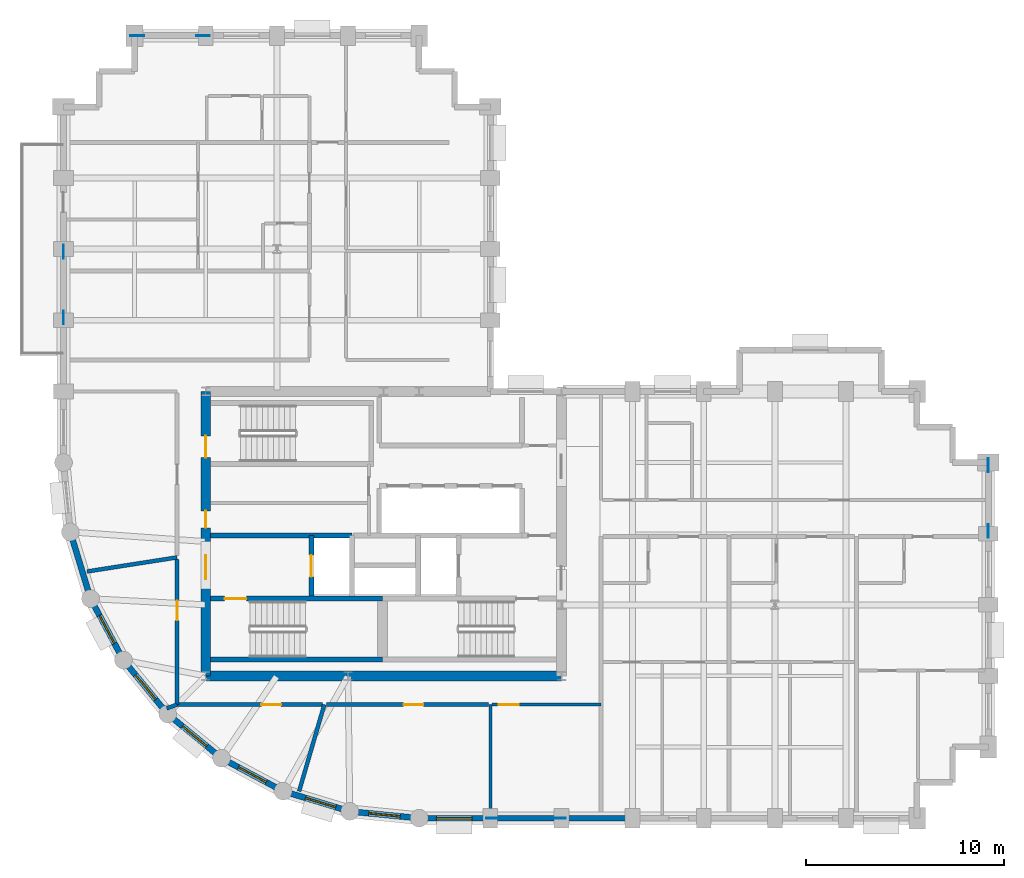
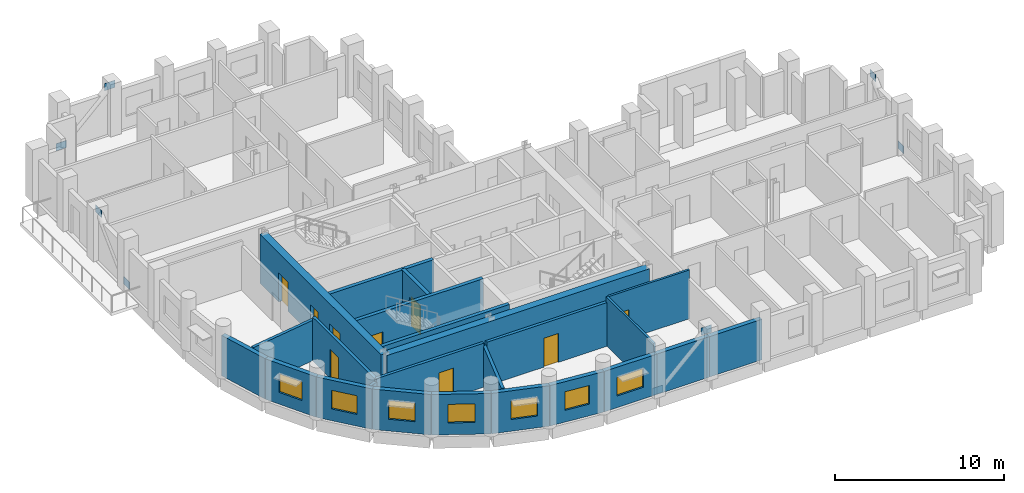
# One storey, part 3 of 10: 24 walls, 9 doors, 8 plates, 7 windows, 16 openings.
"""IFC4 building model written with IfcOpenShell, lengths in metres."""

from ifc_helpers import new_model, si_unit, direction, frame, frame_2d, origin, origin_2d, place, context, subcontext, project, spatial, rectangle, extrude, material, layer, layer_set, type_object, element, fill, save


model = new_model("IFC4")

# Units and contexts
model_context = context("Model", 3, precision=1e-05, world=origin(), true_north=direction((0.0, 1.0)))
body_context = subcontext(model_context, "Body", "Model", "MODEL_VIEW")
ifc_project = project(units=[si_unit("LENGTHUNIT", "METRE"), si_unit("AREAUNIT", "SQUARE_METRE"), si_unit("VOLUMEUNIT", "CUBIC_METRE"), si_unit("PLANEANGLEUNIT", "RADIAN"), si_unit("MASSUNIT", "GRAM", prefix="KILO")], contexts=[model_context])

# Site, building, storey
site_placement = place(None, origin())
site = spatial("IfcSite", under=ifc_project, at=site_placement, CompositionType="ELEMENT")
building_placement = place(site_placement, origin())
building = spatial("IfcBuilding", under=site, at=building_placement, Name="Solnavia Interchange Tower", CompositionType="ELEMENT")
storey_placement = place(building_placement, frame((0.0, 0.0, 150.39990234375)))
storey = spatial("IfcBuildingStorey", under=building, at=storey_placement, Name="L37", CompositionType="ELEMENT", Elevation=150.39990234375)

# Plates
ifc_material_1 = material(Name="Steel S460", Category="steel")
ifc_layer_1 = layer(ifc_material_1, 0.030029296875)
ifc_layer_set_1 = layer_set([ifc_layer_1], Name="Steel S460")
plate_type = type_object("IfcPlateType", Name="Plate-Gusset-700x520x30", PredefinedType="USERDEFINED", material=ifc_layer_set_1)
for number, where, z_axis, x_axis, name in (
    (1, (28.93994140625, 3.60009765625, -0.079833984375), (0.0, 0.0, 1.0), (1.0, 0.0, 0.0), "PLT-L37-GP01 Perimeter brace gusset plate"),
    (2, (32.260009765625, 3.60009765625, 3.110107421875), (0.0, 0.0, 1.0), (1.0, 0.0, 0.0), "PLT-L37-GP02 Perimeter brace gusset plate"),
    (3, (7.199951171875, 28.93994140625, -0.079833984375), (0.0, 0.0, 1.0), (0.0, 1.0, 0.0), "PLT-L37-GP03 Perimeter brace gusset plate"),
    (4, (7.199951171875, 32.260009765625, 3.110107421875), (0.0, 0.0, 1.0), (0.0, 1.0, 0.0), "PLT-L37-GP04 Perimeter brace gusset plate"),
    (5, (54.0, 18.139892578125, -0.079833984375), (0.0, 0.0, 1.0), (0.0, 1.0, 0.0), "PLT-L37-GP05 Perimeter brace gusset plate"),
    (6, (54.0, 21.4599609375, 3.110107421875), (0.0, 0.0, 1.0), (0.0, 1.0, 0.0), "PLT-L37-GP06 Perimeter brace gusset plate"),
    (7, (10.93994140625, 43.199951171875, -0.079833984375), (0.0, 0.0, 1.0), (1.0, 0.0, 0.0), "PLT-L37-GP07 Perimeter brace gusset plate"),
    (8, (14.260009765625, 43.199951171875, 3.110107421875), (0.0, 0.0, 1.0), (1.0, 0.0, 0.0), "PLT-L37-GP08 Perimeter brace gusset plate"),
):
    element("IfcPlate", number, at=place(storey_placement, frame(where, z_axis=z_axis, x_axis=x_axis)), inside=storey, type_object=plate_type, Name=name, ObjectType="GUSSET PLATE", PredefinedType="USERDEFINED", context=body_context, shape_type="SweptSolid", body=[
        extrude(rectangle(XDim=0.699951171875, YDim=0.030029296875, at=origin_2d()), origin(), (0.0, 0.0, 1.0), 0.52001953125),
    ])

# Walls
ifc_material_2 = material(Name="Gypsum Acoustic Twin-Stud & Mineral Wool", Category="gypsum")
ifc_layer_2 = layer(ifc_material_2, 0.199951171875)
ifc_layer_set_2 = layer_set([ifc_layer_2], Name="Gypsum Acoustic Twin-Stud & Mineral Wool")
wall_type_1 = type_object("IfcWallType", Name="Wall-ApartmentParty-200", PredefinedType="PARTITIONING", material=ifc_layer_set_2)
wall_1_placement = place(storey_placement, frame((12.949951171875, 16.800048828125, 0.0), z_axis=(0.0, 0.0, 1.0), x_axis=(-0.987973652082, -0.154622323068, 0.0)))
element("IfcWall", 9, at=wall_1_placement, inside=storey, type_object=wall_type_1, Name="PTW-L37-09 Interior partition wall", PredefinedType="PARTITIONING", context=body_context, shape_type="SweptSolid", body=[
    extrude(rectangle(XDim=4.612060546875, YDim=0.199951171875, at=frame_2d((2.30615234375, 0.0))), origin(), (0.0, 0.0, 1.0), 2.93017578125),
])
wall_2_placement = place(storey_placement, frame((12.949951171875, 9.35009765625, 0.0), z_axis=(0.0, 0.0, 1.0), x_axis=(-0.939538101119, -0.342444384601, 0.0)))
element("IfcWall", 10, at=wall_2_placement, inside=storey, type_object=wall_type_1, Name="PTW-L37-10 Interior partition wall", PredefinedType="PARTITIONING", context=body_context, shape_type="SweptSolid", body=[
    extrude(rectangle(XDim=0.558837890625, YDim=0.199951171875, at=frame_2d((0.279296875, 0.0))), origin(), (0.0, 0.0, 1.0), 2.93017578125),
])
wall_3_placement = place(storey_placement, frame((20.39990234375, 9.35009765625, 0.0), z_axis=(0.0, 0.0, 1.0), x_axis=(-0.279158408615, -0.960245063981, 0.0)))
element("IfcWall", 11, at=wall_3_placement, inside=storey, type_object=wall_type_1, Name="PTW-L37-11 Interior partition wall", PredefinedType="PARTITIONING", context=body_context, shape_type="SweptSolid", body=[
    extrude(rectangle(XDim=4.56787109375, YDim=0.199951171875, at=frame_2d((2.283935546875, 0.0))), origin(), (0.0, 0.0, 1.0), 2.93017578125),
])

# Wall, opening, door
wall_4_placement = place(storey_placement, frame((12.949951171875, 9.35009765625, 0.0), z_axis=(0.0, 0.0, 1.0), x_axis=(0.0, 1.0, 0.0)))
wall_4 = element("IfcWall", 12, at=wall_4_placement, inside=storey, type_object=wall_type_1, Name="PTW-L37-13 Interior partition wall", PredefinedType="PARTITIONING", context=body_context, shape_type="SweptSolid", body=[
    extrude(rectangle(XDim=7.345947265625, YDim=0.199951171875, at=frame_2d((3.6728515625, 0.0))), origin(), (0.0, 0.0, 1.0), 3.170166015625),
])
opening_1_placement = place(wall_4_placement, frame((4.260986328125, 0.0, 0.0)))
opening_1 = element("IfcOpeningElement", 13, at=opening_1_placement, cuts=wall_4, Name="Opening DR-07", PredefinedType="OPENING", context=body_context, shape_type="SweptSolid", body=[
    extrude(rectangle(XDim=1.0, YDim=2.10009765625, at=frame_2d((0.5, 1.050048828125))), frame((0.0, 0.10986328125, 0.0), z_axis=(0.0, -1.0, 0.0), x_axis=(1.0, 0.0, 0.0)), (0.0, 0.0, 1.0), 0.219970703125),
])
ifc_material_3 = material(Name="Timber & Acoustic Glazed Office Door", Category="wood")
door_type_1 = type_object("IfcDoorType", Name="Door-Office-1000x2100", OperationType="SINGLE_SWING_RIGHT", PredefinedType="DOOR", material=ifc_material_3)
door_1_placement = place(opening_1_placement, origin())
door_1 = element("IfcDoor", 14, at=door_1_placement, inside=storey, type_object=door_type_1, Name="DR-L37-04 Interior room door", OperationType="SINGLE_SWING_RIGHT", OverallHeight=2.10009765625, OverallWidth=1.0, PredefinedType="DOOR", context=body_context, shape_type="SweptSolid", body=[
    extrude(rectangle(XDim=1.0, YDim=2.10009765625, at=frame_2d((0.5, 1.050048828125))), frame((0.0, 0.02490234375, 0.0), z_axis=(0.0, -1.0, 0.0), x_axis=(1.0, 0.0, 0.0)), (0.0, 0.0, 1.0), 0.050048828125),
])
fill(opening_1, door_1)

wall_5_placement = place(storey_placement, frame((12.949951171875, 9.35009765625, 0.0), z_axis=(0.0, 0.0, 1.0), x_axis=(1.0, 0.0, 0.0)))
wall_5 = element("IfcWall", 15, at=wall_5_placement, inside=storey, type_object=wall_type_1, Name="PTW-L37-14 Interior partition wall", PredefinedType="PARTITIONING", context=body_context, shape_type="SweptSolid", body=[
    extrude(rectangle(XDim=7.345947265625, YDim=0.199951171875, at=frame_2d((3.6728515625, 0.0))), origin(), (0.0, 0.0, 1.0), 3.18017578125),
])
opening_2_placement = place(wall_5_placement, frame((4.260986328125, 0.0, 0.0)))
opening_2 = element("IfcOpeningElement", 16, at=opening_2_placement, cuts=wall_5, Name="Opening DR-07", PredefinedType="OPENING", context=body_context, shape_type="SweptSolid", body=[
    extrude(rectangle(XDim=1.0, YDim=2.10009765625, at=frame_2d((0.5, 1.050048828125))), frame((0.0, 0.10986328125, 0.0), z_axis=(0.0, -1.0, 0.0), x_axis=(1.0, 0.0, 0.0)), (0.0, 0.0, 1.0), 0.219970703125),
])
door_2_placement = place(opening_2_placement, origin())
door_2 = element("IfcDoor", 17, at=door_2_placement, inside=storey, type_object=door_type_1, Name="DR-L37-05 Interior room door", OperationType="SINGLE_SWING_LEFT", OverallHeight=2.10009765625, OverallWidth=1.0, PredefinedType="DOOR", context=body_context, shape_type="SweptSolid", body=[
    extrude(rectangle(XDim=1.0, YDim=2.10009765625, at=frame_2d((0.5, 1.050048828125))), frame((0.0, 0.02490234375, 0.0), z_axis=(0.0, -1.0, 0.0), x_axis=(1.0, 0.0, 0.0)), (0.0, 0.0, 1.0), 0.050048828125),
])
fill(opening_2, door_2)

wall_6_placement = place(storey_placement, frame((20.50390625, 9.35009765625, 0.0), z_axis=(0.0, 0.0, 1.0), x_axis=(1.0, 0.0, 0.0)))
wall_6 = element("IfcWall", 18, at=wall_6_placement, inside=storey, type_object=wall_type_1, Name="PTW-L37-15 Interior partition wall", PredefinedType="PARTITIONING", context=body_context, shape_type="SweptSolid", body=[
    extrude(rectangle(XDim=8.217041015625, YDim=0.199951171875, at=frame_2d((4.1083984375, 0.0))), origin(), (0.0, 0.0, 1.0), 3.170166015625),
])
opening_3_placement = place(wall_6_placement, frame((3.9140625, 0.0, 0.0)))
opening_3 = element("IfcOpeningElement", 19, at=opening_3_placement, cuts=wall_6, Name="Opening DR-07", PredefinedType="OPENING", context=body_context, shape_type="SweptSolid", body=[
    extrude(rectangle(XDim=1.0, YDim=2.10009765625, at=frame_2d((0.5, 1.050048828125))), frame((0.0, 0.10986328125, 0.0), z_axis=(0.0, -1.0, 0.0), x_axis=(1.0, 0.0, 0.0)), (0.0, 0.0, 1.0), 0.219970703125),
])
door_3_placement = place(opening_3_placement, origin())
door_3 = element("IfcDoor", 20, at=door_3_placement, inside=storey, type_object=door_type_1, Name="DR-L37-06 Interior room door", OperationType="SINGLE_SWING_RIGHT", OverallHeight=2.10009765625, OverallWidth=1.0, PredefinedType="DOOR", context=body_context, shape_type="SweptSolid", body=[
    extrude(rectangle(XDim=1.0, YDim=2.10009765625, at=frame_2d((0.5, 1.050048828125))), frame((0.0, 0.02490234375, 0.0), z_axis=(0.0, -1.0, 0.0), x_axis=(1.0, 0.0, 0.0)), (0.0, 0.0, 1.0), 0.050048828125),
])
fill(opening_3, door_3)

# Wall, opening, window
ifc_material_4 = material(Name="Concrete C40/50", Category="concrete")
ifc_layer_3 = layer(ifc_material_4, 0.300048828125)
ifc_layer_set_3 = layer_set([ifc_layer_3], Name="Concrete C40/50")
wall_type_2 = type_object("IfcWallType", Name="Wall-ExtSpandrel-300", PredefinedType="STANDARD", material=ifc_layer_set_3)
wall_7_placement = place(storey_placement, frame((28.800048828125, 3.60009765625, 0.0), z_axis=(0.0, 0.0, 1.0), x_axis=(-1.0, 0.0, 0.0)))
wall_7 = element("IfcWall", 21, at=wall_7_placement, inside=storey, type_object=wall_type_2, Name="EXW-L37-01 Exterior precast spandrel wall", PredefinedType="STANDARD", context=body_context, shape_type="SweptSolid", body=[
    extrude(rectangle(XDim=3.60009765625, YDim=0.300048828125, at=frame_2d((1.800048828125, 0.0))), origin(), (0.0, 0.0, 1.0), 2.93017578125),
])
opening_4_placement = place(wall_7_placement, frame((0.925048828125, 0.0, 0.85009765625)))
opening_4 = element("IfcOpeningElement", 22, at=opening_4_placement, cuts=wall_7, Name="Opening WIN-02", PredefinedType="OPENING", context=body_context, shape_type="SweptSolid", body=[
    extrude(rectangle(XDim=1.800048828125, YDim=1.35009765625, at=frame_2d((0.89990234375, 0.675048828125))), frame((0.0, 0.16015625, 0.0), z_axis=(0.0, -1.0, 0.0), x_axis=(1.0, 0.0, 0.0)), (0.0, 0.0, 1.0), 0.320068359375),
])
ifc_material_5 = material(Name="Thermal-Break Aluminium & Low-E Glass", Category="aluminium")
window_type_1 = type_object("IfcWindowType", Name="Window-Ribbon-1800x1350", PartitioningType="SINGLE_PANEL", PredefinedType="WINDOW", material=ifc_material_5)
window_1_placement = place(opening_4_placement, origin())
window_1 = element("IfcWindow", 23, at=window_1_placement, inside=storey, type_object=window_type_1, Name="WIN-L37-01 Facade ribbon window", OverallHeight=1.35009765625, OverallWidth=1.800048828125, PartitioningType="SINGLE_PANEL", PredefinedType="WINDOW", context=body_context, shape_type="SweptSolid", body=[
    extrude(rectangle(XDim=1.800048828125, YDim=1.35009765625, at=frame_2d((0.89990234375, 0.675048828125))), frame((0.0, 0.030029296875, 0.0), z_axis=(0.0, -1.0, 0.0), x_axis=(1.0, 0.0, 0.0)), (0.0, 0.0, 1.0), 0.06005859375),
])
fill(opening_4, window_1)

# Walls
wall_8_placement = place(storey_placement, frame((32.39990234375, 3.60009765625, 0.0), z_axis=(0.0, 0.0, 1.0), x_axis=(-1.0, 0.0, 0.0)))
element("IfcWall", 24, at=wall_8_placement, inside=storey, type_object=wall_type_2, Name="EXW-L37-02 Exterior precast spandrel wall", PredefinedType="STANDARD", context=body_context, shape_type="SweptSolid", body=[
    extrude(rectangle(XDim=3.599853515625, YDim=0.300048828125, at=frame_2d((1.7998046875, 0.0))), origin(), (0.0, 0.0, 1.0), 2.93017578125),
])
wall_9_placement = place(storey_placement, frame((36.0, 3.60009765625, 0.0), z_axis=(0.0, 0.0, 1.0), x_axis=(-1.0, 0.0, 0.0)))
element("IfcWall", 25, at=wall_9_placement, inside=storey, type_object=wall_type_2, Name="EXW-L37-03 Exterior precast spandrel wall", PredefinedType="STANDARD", context=body_context, shape_type="SweptSolid", body=[
    extrude(rectangle(XDim=3.60009765625, YDim=0.300048828125, at=frame_2d((1.800048828125, 0.0))), origin(), (0.0, 0.0, 1.0), 2.93017578125),
])
wall_10_placement = place(storey_placement, frame((8.570068359375, 14.7119140625, 0.0), z_axis=(0.0, 0.0, 1.0), x_axis=(-0.290305086481, 0.956934144423, 0.0)))
element("IfcWall", 26, at=wall_10_placement, inside=storey, type_object=wall_type_2, Name="EXW-L37-52 Exterior precast spandrel wall", PredefinedType="STANDARD", context=body_context, shape_type="SweptSolid", body=[
    extrude(rectangle(XDim=3.52783203125, YDim=0.300048828125, at=frame_2d((1.763916015625, 0.0))), origin(), (0.0, 0.0, 1.0), 2.93017578125),
])

# Wall, opening, window
wall_11_placement = place(storey_placement, frame((10.23388671875, 11.60009765625, 0.0), z_axis=(0.0, 0.0, 1.0), x_axis=(-0.47151087309, 0.881860247748, 0.0)))
wall_11 = element("IfcWall", 27, at=wall_11_placement, inside=storey, type_object=wall_type_2, Name="EXW-L37-53 Exterior precast spandrel wall", PredefinedType="STANDARD", context=body_context, shape_type="SweptSolid", body=[
    extrude(rectangle(XDim=3.52880859375, YDim=0.300048828125, at=frame_2d((1.764404296875, 0.0))), origin(), (0.0, 0.0, 1.0), 2.93017578125),
])
opening_5_placement = place(wall_11_placement, frame((0.964111328125, 0.0, 0.85009765625)))
opening_5 = element("IfcOpeningElement", 28, at=opening_5_placement, cuts=wall_11, Name="Opening WIN-04", PredefinedType="OPENING", context=body_context, shape_type="SweptSolid", body=[
    extrude(rectangle(XDim=1.60009765625, YDim=1.35009765625, at=frame_2d((0.800048828125, 0.675048828125))), frame((0.0, 0.16015625, 0.0), z_axis=(0.0, -1.0, 0.0), x_axis=(1.0, 0.0, 0.0)), (0.0, 0.0, 1.0), 0.320068359375),
])
window_type_2 = type_object("IfcWindowType", Name="Window-Drum-1600x1350", PartitioningType="SINGLE_PANEL", PredefinedType="WINDOW", material=ifc_material_5)
window_2_placement = place(opening_5_placement, origin())
window_2 = element("IfcWindow", 29, at=window_2_placement, inside=storey, type_object=window_type_2, Name="WIN-L37-53 Facade ribbon window", OverallHeight=1.35009765625, OverallWidth=1.60009765625, PartitioningType="SINGLE_PANEL", PredefinedType="WINDOW", context=body_context, shape_type="SweptSolid", body=[
    extrude(rectangle(XDim=1.60009765625, YDim=1.35009765625, at=frame_2d((0.800048828125, 0.675048828125))), frame((0.0, 0.030029296875, 0.0), z_axis=(0.0, -1.0, 0.0), x_axis=(1.0, 0.0, 0.0)), (0.0, 0.0, 1.0), 0.06005859375),
])
fill(opening_5, window_2)

wall_12_placement = place(storey_placement, frame((12.471923828125, 8.8720703125, 0.0), z_axis=(0.0, 0.0, 1.0), x_axis=(-0.634258295121, 0.773121216285, 0.0)))
wall_12 = element("IfcWall", 30, at=wall_12_placement, inside=storey, type_object=wall_type_2, Name="EXW-L37-54 Exterior precast spandrel wall", PredefinedType="STANDARD", context=body_context, shape_type="SweptSolid", body=[
    extrude(rectangle(XDim=3.528564453125, YDim=0.300048828125, at=frame_2d((1.76416015625, 0.0))), origin(), (0.0, 0.0, 1.0), 2.93017578125),
])
opening_6_placement = place(wall_12_placement, frame((0.964111328125, 0.0, 0.85009765625)))
opening_6 = element("IfcOpeningElement", 31, at=opening_6_placement, cuts=wall_12, Name="Opening WIN-04", PredefinedType="OPENING", context=body_context, shape_type="SweptSolid", body=[
    extrude(rectangle(XDim=1.60009765625, YDim=1.35009765625, at=frame_2d((0.800048828125, 0.675048828125))), frame((0.0, 0.16015625, 0.0), z_axis=(0.0, -1.0, 0.0), x_axis=(1.0, 0.0, 0.0)), (0.0, 0.0, 1.0), 0.320068359375),
])
window_3_placement = place(opening_6_placement, origin())
window_3 = element("IfcWindow", 32, at=window_3_placement, inside=storey, type_object=window_type_2, Name="WIN-L37-54 Facade ribbon window", OverallHeight=1.35009765625, OverallWidth=1.60009765625, PartitioningType="SINGLE_PANEL", PredefinedType="WINDOW", context=body_context, shape_type="SweptSolid", body=[
    extrude(rectangle(XDim=1.60009765625, YDim=1.35009765625, at=frame_2d((0.800048828125, 0.675048828125))), frame((0.0, 0.030029296875, 0.0), z_axis=(0.0, -1.0, 0.0), x_axis=(1.0, 0.0, 0.0)), (0.0, 0.0, 1.0), 0.06005859375),
])
fill(opening_6, window_3)

wall_13_placement = place(storey_placement, frame((15.199951171875, 6.634033203125, 0.0), z_axis=(0.0, 0.0, 1.0), x_axis=(-0.773121216285, 0.634258295121, 0.0)))
wall_13 = element("IfcWall", 33, at=wall_13_placement, inside=storey, type_object=wall_type_2, Name="EXW-L37-55 Exterior precast spandrel wall", PredefinedType="STANDARD", context=body_context, shape_type="SweptSolid", body=[
    extrude(rectangle(XDim=3.528564453125, YDim=0.300048828125, at=frame_2d((1.76416015625, 0.0))), origin(), (0.0, 0.0, 1.0), 2.93017578125),
])
opening_7_placement = place(wall_13_placement, frame((0.964111328125, 0.0, 0.85009765625)))
opening_7 = element("IfcOpeningElement", 34, at=opening_7_placement, cuts=wall_13, Name="Opening WIN-04", PredefinedType="OPENING", context=body_context, shape_type="SweptSolid", body=[
    extrude(rectangle(XDim=1.60009765625, YDim=1.35009765625, at=frame_2d((0.800048828125, 0.675048828125))), frame((0.0, 0.16015625, 0.0), z_axis=(0.0, -1.0, 0.0), x_axis=(1.0, 0.0, 0.0)), (0.0, 0.0, 1.0), 0.320068359375),
])
window_4_placement = place(opening_7_placement, origin())
window_4 = element("IfcWindow", 35, at=window_4_placement, inside=storey, type_object=window_type_2, Name="WIN-L37-55 Facade ribbon window", OverallHeight=1.35009765625, OverallWidth=1.60009765625, PartitioningType="SINGLE_PANEL", PredefinedType="WINDOW", context=body_context, shape_type="SweptSolid", body=[
    extrude(rectangle(XDim=1.60009765625, YDim=1.35009765625, at=frame_2d((0.800048828125, 0.675048828125))), frame((0.0, 0.030029296875, 0.0), z_axis=(0.0, -1.0, 0.0), x_axis=(1.0, 0.0, 0.0)), (0.0, 0.0, 1.0), 0.06005859375),
])
fill(opening_7, window_4)

wall_14_placement = place(storey_placement, frame((18.31201171875, 4.969970703125, 0.0), z_axis=(0.0, 0.0, 1.0), x_axis=(-0.881846862014, 0.471535907389, 0.0)))
wall_14 = element("IfcWall", 36, at=wall_14_placement, inside=storey, type_object=wall_type_2, Name="EXW-L37-56 Exterior precast spandrel wall", PredefinedType="STANDARD", context=body_context, shape_type="SweptSolid", body=[
    extrude(rectangle(XDim=3.529052734375, YDim=0.300048828125, at=frame_2d((1.7646484375, 0.0))), origin(), (0.0, 0.0, 1.0), 2.93017578125),
])
opening_8_placement = place(wall_14_placement, frame((0.964111328125, 0.0, 0.85009765625)))
opening_8 = element("IfcOpeningElement", 37, at=opening_8_placement, cuts=wall_14, Name="Opening WIN-04", PredefinedType="OPENING", context=body_context, shape_type="SweptSolid", body=[
    extrude(rectangle(XDim=1.60009765625, YDim=1.35009765625, at=frame_2d((0.800048828125, 0.675048828125))), frame((0.0, 0.16015625, 0.0), z_axis=(0.0, -1.0, 0.0), x_axis=(1.0, 0.0, 0.0)), (0.0, 0.0, 1.0), 0.320068359375),
])
window_5_placement = place(opening_8_placement, origin())
window_5 = element("IfcWindow", 38, at=window_5_placement, inside=storey, type_object=window_type_2, Name="WIN-L37-56 Facade ribbon window", OverallHeight=1.35009765625, OverallWidth=1.60009765625, PartitioningType="SINGLE_PANEL", PredefinedType="WINDOW", context=body_context, shape_type="SweptSolid", body=[
    extrude(rectangle(XDim=1.60009765625, YDim=1.35009765625, at=frame_2d((0.800048828125, 0.675048828125))), frame((0.0, 0.030029296875, 0.0), z_axis=(0.0, -1.0, 0.0), x_axis=(1.0, 0.0, 0.0)), (0.0, 0.0, 1.0), 0.06005859375),
])
fill(opening_8, window_5)

wall_15_placement = place(storey_placement, frame((21.68798828125, 3.946044921875, 0.0), z_axis=(0.0, 0.0, 1.0), x_axis=(-0.956953367403, 0.290241714123, 0.0)))
wall_15 = element("IfcWall", 39, at=wall_15_placement, inside=storey, type_object=wall_type_2, Name="EXW-L37-57 Exterior precast spandrel wall", PredefinedType="STANDARD", context=body_context, shape_type="SweptSolid", body=[
    extrude(rectangle(XDim=3.52783203125, YDim=0.300048828125, at=frame_2d((1.763916015625, 0.0))), origin(), (0.0, 0.0, 1.0), 2.93017578125),
])
opening_9_placement = place(wall_15_placement, frame((0.743896484375, 0.0, 0.85009765625)))
opening_9 = element("IfcOpeningElement", 40, at=opening_9_placement, cuts=wall_15, Name="Opening WIN-04", PredefinedType="OPENING", context=body_context, shape_type="SweptSolid", body=[
    extrude(rectangle(XDim=1.60009765625, YDim=1.35009765625, at=frame_2d((0.800048828125, 0.675048828125))), frame((0.0, 0.16015625, 0.0), z_axis=(0.0, -1.0, 0.0), x_axis=(1.0, 0.0, 0.0)), (0.0, 0.0, 1.0), 0.320068359375),
])
window_6_placement = place(opening_9_placement, origin())
window_6 = element("IfcWindow", 41, at=window_6_placement, inside=storey, type_object=window_type_2, Name="WIN-L37-57 Facade ribbon window", OverallHeight=1.35009765625, OverallWidth=1.60009765625, PartitioningType="SINGLE_PANEL", PredefinedType="WINDOW", context=body_context, shape_type="SweptSolid", body=[
    extrude(rectangle(XDim=1.60009765625, YDim=1.35009765625, at=frame_2d((0.800048828125, 0.675048828125))), frame((0.0, 0.030029296875, 0.0), z_axis=(0.0, -1.0, 0.0), x_axis=(1.0, 0.0, 0.0)), (0.0, 0.0, 1.0), 0.06005859375),
])
fill(opening_9, window_6)

wall_16_placement = place(storey_placement, frame((25.199951171875, 3.60009765625, 0.0), z_axis=(0.0, 0.0, 1.0), x_axis=(-0.995183369056, 0.098030923459, 0.0)))
wall_16 = element("IfcWall", 42, at=wall_16_placement, inside=storey, type_object=wall_type_2, Name="EXW-L37-58 Exterior precast spandrel wall", PredefinedType="STANDARD", context=body_context, shape_type="SweptSolid", body=[
    extrude(rectangle(XDim=3.529052734375, YDim=0.300048828125, at=frame_2d((1.7646484375, 0.0))), origin(), (0.0, 0.0, 1.0), 2.93017578125),
])
opening_10_placement = place(wall_16_placement, frame((0.965087890625, 0.0, 0.85009765625)))
opening_10 = element("IfcOpeningElement", 43, at=opening_10_placement, cuts=wall_16, Name="Opening WIN-04", PredefinedType="OPENING", context=body_context, shape_type="SweptSolid", body=[
    extrude(rectangle(XDim=1.60009765625, YDim=1.35009765625, at=frame_2d((0.800048828125, 0.675048828125))), frame((0.0, 0.16015625, 0.0), z_axis=(0.0, -1.0, 0.0), x_axis=(1.0, 0.0, 0.0)), (0.0, 0.0, 1.0), 0.320068359375),
])
window_7_placement = place(opening_10_placement, origin())
window_7 = element("IfcWindow", 44, at=window_7_placement, inside=storey, type_object=window_type_2, Name="WIN-L37-58 Facade ribbon window", OverallHeight=1.35009765625, OverallWidth=1.60009765625, PartitioningType="SINGLE_PANEL", PredefinedType="WINDOW", context=body_context, shape_type="SweptSolid", body=[
    extrude(rectangle(XDim=1.60009765625, YDim=1.35009765625, at=frame_2d((0.800048828125, 0.675048828125))), frame((0.0, 0.030029296875, 0.0), z_axis=(0.0, -1.0, 0.0), x_axis=(1.0, 0.0, 0.0)), (0.0, 0.0, 1.0), 0.06005859375),
])
fill(opening_10, window_7)

# Wall
ifc_material_6 = material(Name="Gypsum Plasterboard & Steel Stud", Category="steel")
ifc_layer_4 = layer(ifc_material_6, 0.14990234375)
ifc_layer_set_4 = layer_set([ifc_layer_4], Name="Gypsum Plasterboard & Steel Stud")
wall_type_3 = type_object("IfcWallType", Name="Wall-Partition-150", PredefinedType="PARTITIONING", material=ifc_layer_set_4)
wall_17_placement = place(storey_placement, frame((28.800048828125, 9.35009765625, 0.0), z_axis=(0.0, 0.0, 1.0), x_axis=(0.0, -1.0, 0.0)))
element("IfcWall", 45, at=wall_17_placement, inside=storey, type_object=wall_type_3, Name="PTW-L37-08 Interior partition wall", PredefinedType="PARTITIONING", context=body_context, shape_type="SweptSolid", body=[
    extrude(rectangle(XDim=5.59619140625, YDim=0.14990234375, at=frame_2d((2.798095703125, 0.0))), origin(), (0.0, 0.0, 1.0), 3.53515625),
])

# Wall, opening, door
wall_18_placement = place(storey_placement, frame((28.87890625, 9.35009765625, 0.0), z_axis=(0.0, 0.0, 1.0), x_axis=(1.0, 0.0, 0.0)))
wall_18 = element("IfcWall", 46, at=wall_18_placement, inside=storey, type_object=wall_type_3, Name="PTW-L37-16 Interior partition wall", PredefinedType="PARTITIONING", context=body_context, shape_type="SweptSolid", body=[
    extrude(rectangle(XDim=5.52099609375, YDim=0.14990234375, at=frame_2d((2.760498046875, 0.0))), origin(), (0.0, 0.0, 1.0), 3.53515625),
])
opening_11_placement = place(wall_18_placement, frame((0.360107421875, 0.0, 0.0)))
opening_11 = element("IfcOpeningElement", 47, at=opening_11_placement, cuts=wall_18, Name="Opening DR-07", PredefinedType="OPENING", context=body_context, shape_type="SweptSolid", body=[
    extrude(rectangle(XDim=1.0, YDim=2.10009765625, at=frame_2d((0.5, 1.050048828125))), frame((0.0, 0.0849609375, 0.0), z_axis=(0.0, -1.0, 0.0), x_axis=(1.0, 0.0, 0.0)), (0.0, 0.0, 1.0), 0.169921875),
])
door_4_placement = place(opening_11_placement, origin())
door_4 = element("IfcDoor", 48, at=door_4_placement, inside=storey, type_object=door_type_1, Name="DR-L37-07 Interior room door", OperationType="SINGLE_SWING_LEFT", OverallHeight=2.10009765625, OverallWidth=1.0, PredefinedType="DOOR", context=body_context, shape_type="SweptSolid", body=[
    extrude(rectangle(XDim=1.0, YDim=2.10009765625, at=frame_2d((0.5, 1.050048828125))), frame((0.0, 0.02490234375, 0.0), z_axis=(0.0, -1.0, 0.0), x_axis=(1.0, 0.0, 0.0)), (0.0, 0.0, 1.0), 0.050048828125),
])
fill(opening_11, door_4)

# Wall
ifc_layer_5 = layer(ifc_material_4, 0.25)
ifc_layer_set_5 = layer_set([ifc_layer_5], Name="Concrete C40/50")
wall_type_4 = type_object("IfcWallType", Name="Wall-ShaftCore-250", PredefinedType="SHEAR", material=ifc_layer_set_5)
wall_19_placement = place(storey_placement, frame((14.64990234375, 11.625, 0.0), z_axis=(0.0, 0.0, 1.0), x_axis=(1.0, 0.0, 0.0)))
element("IfcWall", 49, at=wall_19_placement, inside=storey, type_object=wall_type_4, Name="SHW-L37-ST1S Core shear wall", PredefinedType="SHEAR", context=body_context, shape_type="SweptSolid", body=[
    extrude(rectangle(XDim=8.7001953125, YDim=0.25, at=frame_2d((4.35009765625, 0.0))), origin(), (0.0, 0.0, 1.0), 3.550048828125),
])

# Wall, opening, door
wall_20_placement = place(storey_placement, frame((14.64990234375, 14.715087890625, 0.0), z_axis=(0.0, 0.0, 1.0), x_axis=(1.0, 0.0, 0.0)))
wall_20 = element("IfcWall", 50, at=wall_20_placement, inside=storey, type_object=wall_type_4, Name="SHW-L37-ST1N Core shear wall", PredefinedType="SHEAR", context=body_context, shape_type="SweptSolid", body=[
    extrude(rectangle(XDim=8.7001953125, YDim=0.25, at=frame_2d((4.35009765625, 0.0))), origin(), (0.0, 0.0, 1.0), 3.550048828125),
])
opening_12_placement = place(wall_20_placement, frame((0.705078125, 0.0, 0.0)))
opening_12 = element("IfcOpeningElement", 51, at=opening_12_placement, cuts=wall_20, Name="Opening DR-01", PredefinedType="OPENING", context=body_context, shape_type="SweptSolid", body=[
    extrude(rectangle(XDim=1.10009765625, YDim=2.10009765625, at=frame_2d((0.550048828125, 1.050048828125))), frame((0.0, 0.135009765625, 0.0), z_axis=(0.0, -1.0, 0.0), x_axis=(1.0, 0.0, 0.0)), (0.0, 0.0, 1.0), 0.27001953125),
])
ifc_material_7 = material(Name="Steel Fire-Rated Leaf & Frame", Category="steel")
door_type_2 = type_object("IfcDoorType", Name="Door-StairFire-1100x2100", OperationType="SINGLE_SWING_LEFT", PredefinedType="DOOR", material=ifc_material_7)
door_5_placement = place(opening_12_placement, origin())
door_5 = element("IfcDoor", 52, at=door_5_placement, inside=storey, type_object=door_type_2, Name="DR-L37-ST1 Core fire door", OperationType="SINGLE_SWING_LEFT", OverallHeight=2.10009765625, OverallWidth=1.10009765625, PredefinedType="DOOR", context=body_context, shape_type="SweptSolid", body=[
    extrude(rectangle(XDim=1.10009765625, YDim=2.10009765625, at=frame_2d((0.550048828125, 1.050048828125))), frame((0.0, 0.02490234375, 0.0), z_axis=(0.0, -1.0, 0.0), x_axis=(1.0, 0.0, 0.0)), (0.0, 0.0, 1.0), 0.050048828125),
])
fill(opening_12, door_5)

# Wall
ifc_layer_6 = layer(ifc_material_4, 0.25)
ifc_layer_set_6 = layer_set([ifc_layer_6], Name="Concrete C40/50")
wall_type_5 = type_object("IfcWallType", Name="Wall-ShaftPart-250", PredefinedType="PARTITIONING", material=ifc_layer_set_6)
wall_21_placement = place(storey_placement, frame((14.64990234375, 17.89990234375, 0.0), z_axis=(0.0, 0.0, 1.0), x_axis=(1.0, 0.0, 0.0)))
element("IfcWall", 53, at=wall_21_placement, inside=storey, type_object=wall_type_5, Name="SHW-L37-FFLW-N Core shaft wall", PredefinedType="PARTITIONING", context=body_context, shape_type="SweptSolid", body=[
    extrude(rectangle(XDim=7.150146484375, YDim=0.25, at=frame_2d((3.5751953125, 0.0))), origin(), (0.0, 0.0, 1.0), 3.53515625),
])

# Wall, opening, door
wall_22_placement = place(storey_placement, frame((19.75, 14.840087890625, 0.0), z_axis=(0.0, 0.0, 1.0), x_axis=(0.0, 1.0, 0.0)))
wall_22 = element("IfcWall", 54, at=wall_22_placement, inside=storey, type_object=wall_type_5, Name="SHW-L37-FFL1-W Core shaft wall", PredefinedType="PARTITIONING", context=body_context, shape_type="SweptSolid", body=[
    extrude(rectangle(XDim=3.059814453125, YDim=0.25, at=frame_2d((1.52978515625, 0.0))), origin(), (0.0, 0.0, 1.0), 3.53515625),
])
opening_13_placement = place(wall_22_placement, frame((0.97998046875, 0.0, 0.0)))
opening_13 = element("IfcOpeningElement", 55, at=opening_13_placement, cuts=wall_22, Name="Opening LD-01", PredefinedType="OPENING", context=body_context, shape_type="SweptSolid", body=[
    extrude(rectangle(XDim=1.10009765625, YDim=2.10009765625, at=frame_2d((0.550048828125, 1.050048828125))), frame((0.0, 0.135009765625, 0.0), z_axis=(0.0, -1.0, 0.0), x_axis=(1.0, 0.0, 0.0)), (0.0, 0.0, 1.0), 0.27001953125),
])
ifc_material_8 = material(Name="Brushed Stainless Steel Sliding Door", Category="steel")
door_type_3 = type_object("IfcDoorType", Name="Door-LiftLanding-1100x2100", OperationType="SLIDING_TO_LEFT", PredefinedType="DOOR", material=ifc_material_8)
door_6_placement = place(opening_13_placement, origin())
door_6 = element("IfcDoor", 56, at=door_6_placement, inside=storey, type_object=door_type_3, Name="LD-L37-FFL1 Lift landing sliding door", OperationType="SLIDING_TO_LEFT", OverallHeight=2.10009765625, OverallWidth=1.10009765625, PredefinedType="DOOR", context=body_context, shape_type="SweptSolid", body=[
    extrude(rectangle(XDim=1.10009765625, YDim=2.10009765625, at=frame_2d((0.550048828125, 1.050048828125))), frame((0.0, 0.02490234375, 0.0), z_axis=(0.0, -1.0, 0.0), x_axis=(1.0, 0.0, 0.0)), (0.0, 0.0, 1.0), 0.050048828125),
])
fill(opening_13, door_6)

# Wall
ifc_material_9 = material(Name="Concrete C60/75", Category="concrete")
ifc_layer_7 = layer(ifc_material_9, 0.5)
ifc_layer_set_7 = layer_set([ifc_layer_7], Name="Concrete C60/75")
wall_type_6 = type_object("IfcWallType", Name="Wall-ShearCore-500", PredefinedType="SHEAR", material=ifc_layer_set_7)
wall_23_placement = place(storey_placement, frame((14.39990234375, 10.800048828125, 0.0), z_axis=(0.0, 0.0, 1.0), x_axis=(1.0, 0.0, 0.0)))
element("IfcWall", 57, at=wall_23_placement, inside=storey, type_object=wall_type_6, Name="CRW-L37-S Core shear wall", PredefinedType="SHEAR", context=body_context, shape_type="SweptSolid", body=[
    extrude(rectangle(XDim=18.0, YDim=0.5, at=frame_2d((9.0, 0.0))), origin(), (0.0, 0.0, 1.0), 3.550048828125),
])

# Wall, openings, doors
wall_24_placement = place(storey_placement, frame((14.39990234375, 10.800048828125, 0.0), z_axis=(0.0, 0.0, 1.0), x_axis=(0.0, 1.0, 0.0)))
wall_24 = element("IfcWall", 58, at=wall_24_placement, inside=storey, type_object=wall_type_6, Name="CRW-L37-W Core shear wall", PredefinedType="SHEAR", context=body_context, shape_type="SweptSolid", body=[
    extrude(rectangle(XDim=14.39990234375, YDim=0.5, at=frame_2d((7.199951171875, 0.0))), origin(), (0.0, 0.0, 1.0), 3.550048828125),
])
opening_14_placement = place(wall_24_placement, frame((11.050048828125, 0.0, 0.0)))
opening_14 = element("IfcOpeningElement", 59, at=opening_14_placement, cuts=wall_24, Name="Opening DR-01", PredefinedType="OPENING", context=body_context, shape_type="SweptSolid", body=[
    extrude(rectangle(XDim=1.10009765625, YDim=2.10009765625, at=frame_2d((0.550048828125, 1.050048828125))), frame((0.0, 0.260009765625, 0.0), z_axis=(0.0, -1.0, 0.0), x_axis=(1.0, 0.0, 0.0)), (0.0, 0.0, 1.0), 0.52001953125),
])
opening_15_placement = place(wall_24_placement, frame((4.89990234375, 0.0, 0.0)))
opening_15 = element("IfcOpeningElement", 60, at=opening_15_placement, cuts=wall_24, Name="Opening DR-02", PredefinedType="OPENING", context=body_context, shape_type="SweptSolid", body=[
    extrude(rectangle(XDim=1.199951171875, YDim=2.10009765625, at=frame_2d((0.60009765625, 1.050048828125))), frame((0.0, 0.260009765625, 0.0), z_axis=(0.0, -1.0, 0.0), x_axis=(1.0, 0.0, 0.0)), (0.0, 0.0, 1.0), 0.52001953125),
])
opening_16_placement = place(wall_24_placement, frame((7.5, 0.0, 0.0)))
opening_16 = element("IfcOpeningElement", 61, at=opening_16_placement, cuts=wall_24, Name="Opening DR-10", PredefinedType="OPENING", context=body_context, shape_type="SweptSolid", body=[
    extrude(rectangle(XDim=0.85009765625, YDim=2.10009765625, at=frame_2d((0.425048828125, 1.050048828125))), frame((0.0, 0.260009765625, 0.0), z_axis=(0.0, -1.0, 0.0), x_axis=(1.0, 0.0, 0.0)), (0.0, 0.0, 1.0), 0.52001953125),
])
ifc_material_10 = material(Name="Moisture-Resistant Timber Door", Category="wood")
door_type_4 = type_object("IfcDoorType", Name="Door-Bathroom-850x2100", OperationType="SINGLE_SWING_RIGHT", PredefinedType="DOOR", material=ifc_material_10)
door_7_placement = place(opening_16_placement, origin())
door_7 = element("IfcDoor", 62, at=door_7_placement, inside=storey, type_object=door_type_4, Name="DR-L37-CS1 Core fire door", OperationType="SINGLE_SWING_RIGHT", OverallHeight=2.10009765625, OverallWidth=0.85009765625, PredefinedType="DOOR", context=body_context, shape_type="SweptSolid", body=[
    extrude(rectangle(XDim=0.85009765625, YDim=2.10009765625, at=frame_2d((0.425048828125, 1.050048828125))), frame((0.0, 0.02490234375, 0.0), z_axis=(0.0, -1.0, 0.0), x_axis=(1.0, 0.0, 0.0)), (0.0, 0.0, 1.0), 0.050048828125),
])
fill(opening_16, door_7)
ifc_material_11 = material(Name="Steel Fire-Rated Vision-Panel Door", Category="steel")
door_type_5 = type_object("IfcDoorType", Name="Door-LobbyFire-1200x2100", OperationType="SINGLE_SWING_RIGHT", PredefinedType="DOOR", material=ifc_material_11)
door_8_placement = place(opening_15_placement, origin())
door_8 = element("IfcDoor", 63, at=door_8_placement, inside=storey, type_object=door_type_5, Name="DR-L37-FFL1W Core fire door", OperationType="SINGLE_SWING_RIGHT", OverallHeight=2.10009765625, OverallWidth=1.199951171875, PredefinedType="DOOR", context=body_context, shape_type="SweptSolid", body=[
    extrude(rectangle(XDim=1.199951171875, YDim=2.10009765625, at=frame_2d((0.60009765625, 1.050048828125))), frame((0.0, 0.02490234375, 0.0), z_axis=(0.0, -1.0, 0.0), x_axis=(1.0, 0.0, 0.0)), (0.0, 0.0, 1.0), 0.050048828125),
])
fill(opening_15, door_8)
door_9_placement = place(opening_14_placement, origin())
door_9 = element("IfcDoor", 64, at=door_9_placement, inside=storey, type_object=door_type_2, Name="DR-L37-ST3 Core fire door", OperationType="SINGLE_SWING_RIGHT", OverallHeight=2.10009765625, OverallWidth=1.10009765625, PredefinedType="DOOR", context=body_context, shape_type="SweptSolid", body=[
    extrude(rectangle(XDim=1.10009765625, YDim=2.10009765625, at=frame_2d((0.550048828125, 1.050048828125))), frame((0.0, 0.02490234375, 0.0), z_axis=(0.0, -1.0, 0.0), x_axis=(1.0, 0.0, 0.0)), (0.0, 0.0, 1.0), 0.050048828125),
])
fill(opening_14, door_9)

save(model, "model.ifc")
